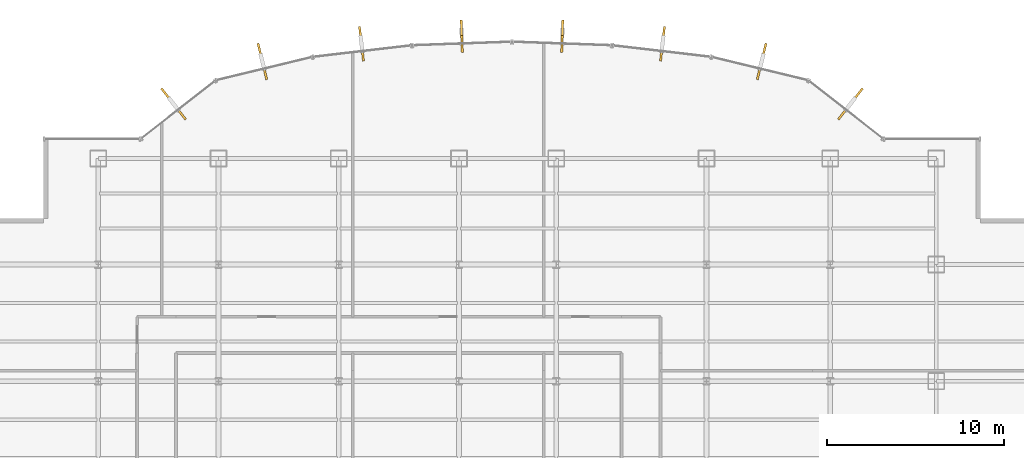
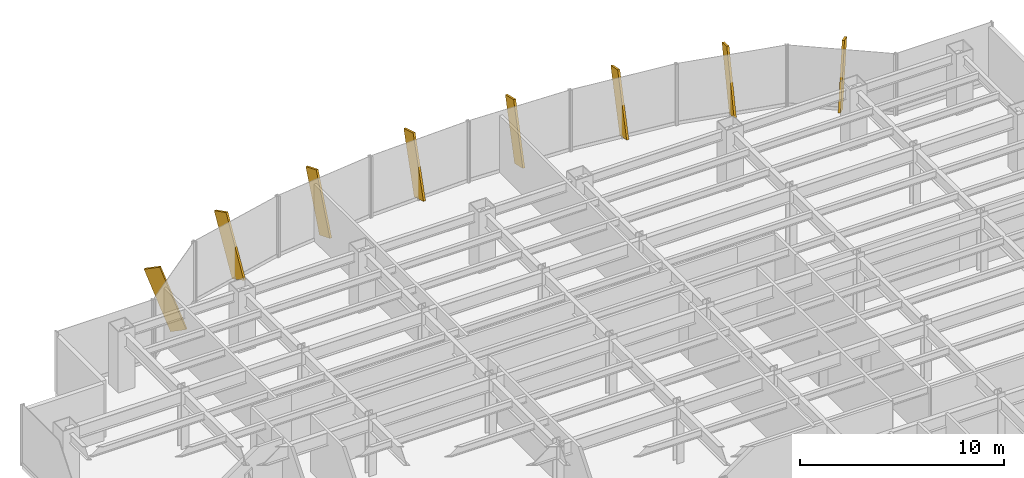
# One storey, part 21 of 22: 8 shading devices.
"""IFC4 building model written with IfcOpenShell, lengths in metres."""

import ifcopenshell
import ifcopenshell.guid

model = None  # the IFC model being written
_history = None  # IfcOwnerHistory: only IFC2X3 demands one
_inside = {}  # id of a spatial element -> (the spatial element, [elements in it])
_under = {}  # id of a project, library or spatial element -> (it, [spatial elements below it])
_declared = {}  # id of a project -> (the project, [libraries it declares])
_typed = {}  # id of a type object -> (the type object, [elements of that type])
_made_of = {}  # id of a material, layer set ... -> (it, [elements and type objects made of it])


def new_model(schema):
    """Start an empty IFC model of exactly this schema.

    Asked for "IFC4X3", IfcOpenShell would pick the latest addendum, in which some entities
    have other attributes; the version numbers below select the first issue.
    IFC2X3 requires an IfcOwnerHistory on every rooted entity: one is made here for all.
    """
    global model, _history
    if schema == "IFC4X3":
        model = ifcopenshell.file(schema_version=(4, 3, 0, 0))
    else:
        model = ifcopenshell.file(schema=schema)
    _inside.clear()
    _under.clear()
    _declared.clear()
    _typed.clear()
    _made_of.clear()
    _history = None
    if model.schema == "IFC2X3":
        org = make("IfcOrganization", Name="unknown")
        user = make(
            "IfcPersonAndOrganization",
            ThePerson=make("IfcPerson", FamilyName="unknown"),
            TheOrganization=org,
        )
        app = make(
            "IfcApplication",
            ApplicationDeveloper=org,
            Version="unknown",
            ApplicationFullName="unknown",
            ApplicationIdentifier="unknown",
        )
        _history = make(
            "IfcOwnerHistory",
            OwningUser=user,
            OwningApplication=app,
            ChangeAction="ADDED",
            CreationDate=0,
        )
    return model


def make(cls, **values):
    """One entity of the class cls with the attributes given. An attribute that is None is left unset."""
    return model.create_entity(
        cls, **{name: value for name, value in values.items() if value is not None}
    )


def rooted(cls, **values):
    """An entity with a GlobalId (a new one), such as an element, a storey or a relation."""
    return make(cls, GlobalId=ifcopenshell.guid.new(), OwnerHistory=_history, **values)


def si_unit(unit_type, name, prefix=None):
    """IfcSIUnit, for example si_unit("LENGTHUNIT", "METRE", prefix="MILLI")."""
    return make("IfcSIUnit", UnitType=unit_type, Prefix=prefix, Name=name)


def derived_unit(unit_type, elements):
    """IfcDerivedUnit: a product of units, each with its exponent."""
    return make(
        "IfcDerivedUnit",
        Elements=[
            make("IfcDerivedUnitElement", Unit=unit, Exponent=power)
            for unit, power in elements
        ],
        UnitType=unit_type,
    )


def assignment(units):
    """IfcUnitAssignment: the units of a project."""
    return None if units is None else make("IfcUnitAssignment", Units=units)


def point(xyz):
    """IfcCartesianPoint."""
    return None if xyz is None else make("IfcCartesianPoint", Coordinates=xyz)


def direction(xyz):
    """IfcDirection."""
    return None if xyz is None else make("IfcDirection", DirectionRatios=xyz)


def frame(location, z_axis=None, x_axis=None):
    """IfcAxis2Placement3D, a coordinate frame: its origin and axes. An axis left out is left unset."""
    return make(
        "IfcAxis2Placement3D",
        Location=point(location),
        Axis=direction(z_axis),
        RefDirection=direction(x_axis),
    )


def frame_2d(location, x_axis=None):
    """IfcAxis2Placement2D, a coordinate frame in the plane: its origin and x axis."""
    return make(
        "IfcAxis2Placement2D", Location=point(location), RefDirection=direction(x_axis)
    )


def origin():
    """The frame at (0, 0, 0) with its axes left unset."""
    return frame((0.0, 0.0, 0.0))


def origin_2d():
    """The frame at (0, 0) in the plane with its x axis left unset."""
    return frame_2d((0.0, 0.0))


def place(relative_to, where):
    """IfcLocalPlacement: puts the frame where relative to a parent placement (None: the world)."""
    return make(
        "IfcLocalPlacement", PlacementRelTo=relative_to, RelativePlacement=where
    )


def context(
    kind, dimensions, precision=None, world=None, true_north=None, identifier=None
):
    """IfcGeometricRepresentationContext, for example the 3D "Model" context."""
    return make(
        "IfcGeometricRepresentationContext",
        ContextIdentifier=identifier,
        ContextType=kind,
        CoordinateSpaceDimension=dimensions,
        Precision=precision,
        WorldCoordinateSystem=world,
        TrueNorth=true_north,
    )


def subcontext(parent, identifier, kind, view, scale=None):
    """IfcGeometricRepresentationSubContext, for example "Body" below "Model"."""
    return make(
        "IfcGeometricRepresentationSubContext",
        ContextIdentifier=identifier,
        ContextType=kind,
        ParentContext=parent,
        TargetScale=scale,
        TargetView=view,
    )


def project(units=None, contexts=None):
    """IfcProject with its units and contexts."""
    return rooted(
        "IfcProject",
        Name="project",
        RepresentationContexts=contexts,
        UnitsInContext=assignment(units),
    )


def spatial(cls, under=None, at=None, **own):
    """A site, building, storey or space (cls), placed at a placement, below another one or the project."""
    s = rooted(cls, ObjectPlacement=at, **own)
    if under is not None:
        _under.setdefault(under.id(), (under, []))[1].append(s)
    return s


def profile(cls, at=None, kind="AREA", **sizes):
    """A parametric profile (cls). Its sizes go by their IFC names, for example OverallWidth=200.0."""
    return make(cls, ProfileType=kind, Position=at, **sizes)


def rectangle(**sizes):
    """IfcRectangleProfileDef."""
    return profile("IfcRectangleProfileDef", **sizes)


def extrude(swept, where, along, depth):
    """IfcExtrudedAreaSolid: the profile swept, set in the frame where, extruded along a direction by depth."""
    return make(
        "IfcExtrudedAreaSolid",
        SweptArea=swept,
        Position=where,
        ExtrudedDirection=direction(along),
        Depth=depth,
    )


def shape(context_of_items, identifier, shape_type, items):
    """IfcShapeRepresentation: the items that make up one representation, for example the "Body"."""
    return make(
        "IfcShapeRepresentation",
        ContextOfItems=context_of_items,
        RepresentationIdentifier=identifier,
        RepresentationType=shape_type,
        Items=items,
    )


def source(mapping_origin, context_of_items, identifier, shape_type, items):
    """IfcRepresentationMap: a shape defined once, which mapped items show again and again."""
    return make(
        "IfcRepresentationMap",
        MappingOrigin=mapping_origin,
        MappedRepresentation=shape(context_of_items, identifier, shape_type, items),
    )


def transform(
    local_origin,
    x_axis=None,
    y_axis=None,
    z_axis=None,
    scale=None,
    scale2=None,
    scale3=None,
    uniform=True,
):
    """IfcCartesianTransformationOperator3D, or its non-uniform kind. x_axis, y_axis, z_axis: its Axis1, 2, 3."""
    if uniform:
        return make(
            "IfcCartesianTransformationOperator3D",
            Axis1=direction(x_axis),
            Axis2=direction(y_axis),
            LocalOrigin=point(local_origin),
            Scale=scale,
            Axis3=direction(z_axis),
        )
    return make(
        "IfcCartesianTransformationOperator3DnonUniform",
        Axis1=direction(x_axis),
        Axis2=direction(y_axis),
        LocalOrigin=point(local_origin),
        Scale=scale,
        Axis3=direction(z_axis),
        Scale2=scale2,
        Scale3=scale3,
    )


def mapped(mapping_source, mapping_target):
    """IfcMappedItem: shows the shape of a source again, moved by a transform."""
    return make(
        "IfcMappedItem", MappingSource=mapping_source, MappingTarget=mapping_target
    )


def material(Name=None, Category=None):
    """IfcMaterial."""
    return make("IfcMaterial", Name=Name, Category=Category)


def made_of(thing, what):
    """Note that an element or type object is made of a material, layer set ...; save() writes the relation."""
    if what is not None:
        _made_of.setdefault(what.id(), (what, []))[1].append(thing)
    return thing


def type_object(cls, material=None, **own):
    """A type object (cls), such as IfcWallType, which elements share."""
    return made_of(rooted(cls, **own), material)


def element(
    cls,
    number,
    at=None,
    inside=None,
    cuts=None,
    type_object=None,
    material=None,
    context=None,
    identifier="Body",
    shape_type=None,
    held_by="IfcProductDefinitionShape",
    body=None,
    shapes=None,
    **own,
):
    """One element of the class cls, such as IfcWall. Its Tag is "e" and its number.

    at: its placement. inside: the storey or other place that contains it. cuts: it is an
    opening in that element (IfcRelVoidsElement). A single representation is given by context,
    identifier, shape_type and body (its items); several are given by shapes. held_by: the class
    of the entity that holds the representations. save() writes the other relations.
    """
    e = rooted(cls, Tag="e%d" % number, ObjectPlacement=at, **own)
    if body is not None:
        shapes = [shape(context, identifier, shape_type, body)]
    if shapes is not None:
        e.Representation = make(held_by, Representations=shapes)
    if inside is not None:
        _inside.setdefault(inside.id(), (inside, []))[1].append(e)
    if cuts is not None:
        rooted(
            "IfcRelVoidsElement", RelatingBuildingElement=cuts, RelatedOpeningElement=e
        )
    if type_object is not None:
        _typed.setdefault(type_object.id(), (type_object, []))[1].append(e)
    return made_of(e, material)


def aggregate(whole, parts):
    """IfcRelAggregates: a whole, such as a stair, and the parts it consists of."""
    return rooted("IfcRelAggregates", RelatingObject=whole, RelatedObjects=parts)


def save(model, path):
    """Write the relations noted so far, then the file.

    IfcRelAggregates (storeys below a building ...), IfcRelContainedInSpatialStructure (elements
    in a storey), IfcRelDefinesByType, IfcRelAssociatesMaterial and IfcRelDeclares: one each for
    every whole, place, type object, material and project.
    """
    for whole, parts in _under.values():
        aggregate(whole, parts)
    for where, things in _inside.values():
        rooted(
            "IfcRelContainedInSpatialStructure",
            RelatedElements=things,
            RelatingStructure=where,
        )
    for kind, things in _typed.values():
        rooted("IfcRelDefinesByType", RelatedObjects=things, RelatingType=kind)
    for what, things in _made_of.values():
        rooted("IfcRelAssociatesMaterial", RelatedObjects=things, RelatingMaterial=what)
    for by, libraries in _declared.values():
        rooted("IfcRelDeclares", RelatingContext=by, RelatedDefinitions=libraries)
    model.write(path)


model = new_model("IFC4")

# Units and contexts
model_context = context("Model", 3, precision=1e-05, world=origin(), true_north=direction((0.0, 1.0)))
body_context = subcontext(model_context, "Body", "Model", "MODEL_VIEW")
ifc_project = project(units=[si_unit("LENGTHUNIT", "METRE"), si_unit("AREAUNIT", "SQUARE_METRE"), si_unit("VOLUMEUNIT", "CUBIC_METRE"), si_unit("PLANEANGLEUNIT", "RADIAN"), si_unit("MASSUNIT", "GRAM", prefix="KILO"), derived_unit("THERMALTRANSMITTANCEUNIT", [(si_unit("POWERUNIT", "WATT"), 1), (si_unit("LENGTHUNIT", "METRE"), -2), (si_unit("THERMODYNAMICTEMPERATUREUNIT", "KELVIN"), -1)])], contexts=[model_context])

# Site, building, storey
site_placement = place(None, origin())
site = spatial("IfcSite", under=ifc_project, at=site_placement, CompositionType="ELEMENT")
building_placement = place(site_placement, origin())
building = spatial("IfcBuilding", under=site, at=building_placement, Name="Skarnbrae Concourse Arena and Tower", CompositionType="ELEMENT")
storey_placement = place(building_placement, frame((0.0, 0.0, 72.64990234375)))
storey = spatial("IfcBuildingStorey", under=building, at=storey_placement, Name="L17", CompositionType="ELEMENT", Elevation=72.64990234375)

# Shading devices
ifc_material = material(Name="Bronze anodised aluminium 6063-T6", Category="aluminium")
shading_device_type = type_object("IfcShadingDeviceType", Name="SHD-BRONZE-FIN-900", PredefinedType="USERDEFINED", material=ifc_material)
shared_shape = source(origin(), body_context, "Body", "SweptSolid", [
    extrude(rectangle(XDim=0.1201171875, YDim=0.89990234375, at=origin_2d()), origin(), (0.0, 0.0, 1.0), 3.64990234375),
])
for number, where, z_axis, x_axis, name in (
    (1, (49.7109375, 42.93603515625, 0.139404296875), (0.236075101385, 0.301803893194, 0.9236790333), (0.787656027369, -0.616115234797, 0.0), "L17 Outward-leaning bronze shading fin 08"),
    (2, (44.968994140625, 45.26806640625, 0.114013671875), (0.081676962767, 0.337689462029, 0.937707150974), (0.971973311258, -0.235091221021, 0.0), "L17 Outward-leaning bronze shading fin 09"),
    (3, (39.447265625, 46.331298828125, 0.087890625), (0.03551349388, 0.303960045953, 0.952022626946), (0.993243759876, -0.116046686587, 0.0), "L17 Outward-leaning bronze shading fin 10"),
    (4, (33.82470703125, 46.83740234375, 0.064697265625), (0.009459297198, 0.263366520486, 0.964649468762), (0.999355613141, -0.035893710914, 0.0), "L17 Outward-leaning bronze shading fin 11"),
    (5, (28.17529296875, 46.83740234375, 0.064697265625), (-0.009459297198, 0.263366520486, 0.964649468762), (0.999355613141, 0.035893710914, 0.0), "L17 Outward-leaning bronze shading fin 12"),
    (6, (22.552734375, 46.331298828125, 0.087890625), (-0.03551349388, 0.303960045953, 0.952022626946), (0.993243759876, 0.116046686587, 0.0), "L17 Outward-leaning bronze shading fin 13"),
    (7, (17.031005859375, 45.26806640625, 0.114013671875), (-0.081676962767, 0.337689462029, 0.937707150974), (0.971973311258, 0.235091221021, 0.0), "L17 Outward-leaning bronze shading fin 14"),
    (8, (12.2890625, 42.93603515625, 0.139404296875), (-0.236075101385, 0.301803893194, 0.9236790333), (0.787656027369, 0.616115234797, 0.0), "L17 Outward-leaning bronze shading fin 15"),
):
    element("IfcShadingDevice", number, at=place(storey_placement, frame(where, z_axis=z_axis, x_axis=x_axis)), inside=storey, type_object=shading_device_type, Name=name, ObjectType="FIN", PredefinedType="USERDEFINED", context=body_context, shape_type="MappedRepresentation", body=[
        mapped(shared_shape, transform((0.0, 0.0, 0.0))),
    ])

save(model, "model.ifc")
